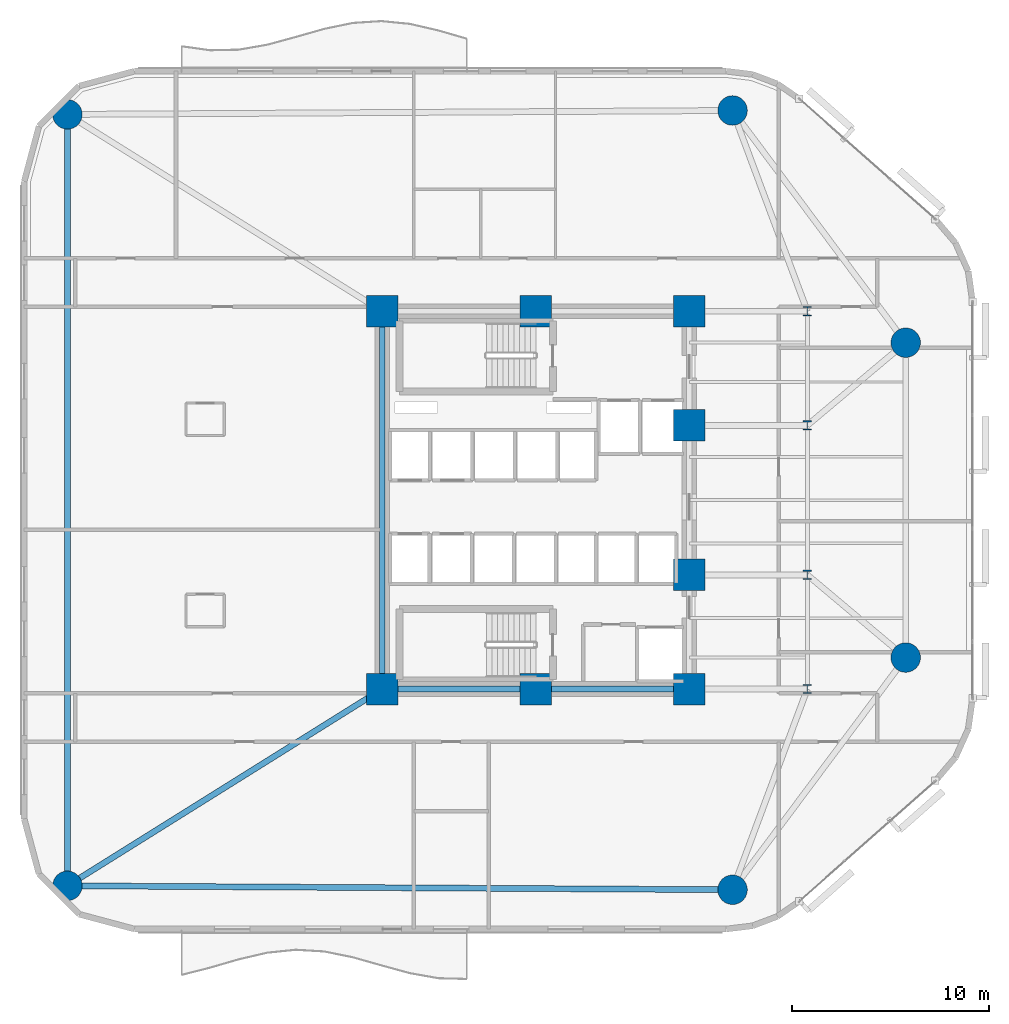
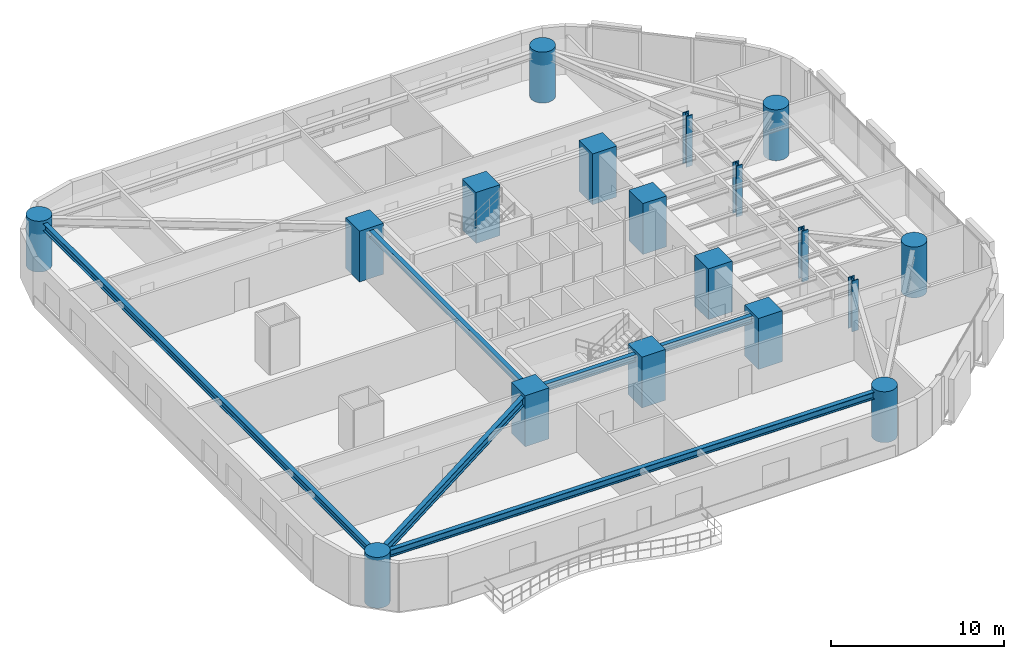
# One storey, part 1 of 16: 18 columns, 5 beams.
"""IFC4 building model written with IfcOpenShell, lengths in metres."""

import ifcopenshell
import ifcopenshell.guid

model = None  # the IFC model being written
_history = None  # IfcOwnerHistory: only IFC2X3 demands one
_inside = {}  # id of a spatial element -> (the spatial element, [elements in it])
_under = {}  # id of a project, library or spatial element -> (it, [spatial elements below it])
_declared = {}  # id of a project -> (the project, [libraries it declares])
_typed = {}  # id of a type object -> (the type object, [elements of that type])
_made_of = {}  # id of a material, layer set ... -> (it, [elements and type objects made of it])


def new_model(schema):
    """Start an empty IFC model of exactly this schema.

    Asked for "IFC4X3", IfcOpenShell would pick the latest addendum, in which some entities
    have other attributes; the version numbers below select the first issue.
    IFC2X3 requires an IfcOwnerHistory on every rooted entity: one is made here for all.
    """
    global model, _history
    if schema == "IFC4X3":
        model = ifcopenshell.file(schema_version=(4, 3, 0, 0))
    else:
        model = ifcopenshell.file(schema=schema)
    _inside.clear()
    _under.clear()
    _declared.clear()
    _typed.clear()
    _made_of.clear()
    _history = None
    if model.schema == "IFC2X3":
        org = make("IfcOrganization", Name="unknown")
        user = make(
            "IfcPersonAndOrganization",
            ThePerson=make("IfcPerson", FamilyName="unknown"),
            TheOrganization=org,
        )
        app = make(
            "IfcApplication",
            ApplicationDeveloper=org,
            Version="unknown",
            ApplicationFullName="unknown",
            ApplicationIdentifier="unknown",
        )
        _history = make(
            "IfcOwnerHistory",
            OwningUser=user,
            OwningApplication=app,
            ChangeAction="ADDED",
            CreationDate=0,
        )
    return model


def make(cls, **values):
    """One entity of the class cls with the attributes given. An attribute that is None is left unset."""
    return model.create_entity(
        cls, **{name: value for name, value in values.items() if value is not None}
    )


def rooted(cls, **values):
    """An entity with a GlobalId (a new one), such as an element, a storey or a relation."""
    return make(cls, GlobalId=ifcopenshell.guid.new(), OwnerHistory=_history, **values)


def si_unit(unit_type, name, prefix=None):
    """IfcSIUnit, for example si_unit("LENGTHUNIT", "METRE", prefix="MILLI")."""
    return make("IfcSIUnit", UnitType=unit_type, Prefix=prefix, Name=name)


def assignment(units):
    """IfcUnitAssignment: the units of a project."""
    return None if units is None else make("IfcUnitAssignment", Units=units)


def point(xyz):
    """IfcCartesianPoint."""
    return None if xyz is None else make("IfcCartesianPoint", Coordinates=xyz)


def direction(xyz):
    """IfcDirection."""
    return None if xyz is None else make("IfcDirection", DirectionRatios=xyz)


def frame(location, z_axis=None, x_axis=None):
    """IfcAxis2Placement3D, a coordinate frame: its origin and axes. An axis left out is left unset."""
    return make(
        "IfcAxis2Placement3D",
        Location=point(location),
        Axis=direction(z_axis),
        RefDirection=direction(x_axis),
    )


def frame_2d(location, x_axis=None):
    """IfcAxis2Placement2D, a coordinate frame in the plane: its origin and x axis."""
    return make(
        "IfcAxis2Placement2D", Location=point(location), RefDirection=direction(x_axis)
    )


def origin():
    """The frame at (0, 0, 0) with its axes left unset."""
    return frame((0.0, 0.0, 0.0))


def origin_2d():
    """The frame at (0, 0) in the plane with its x axis left unset."""
    return frame_2d((0.0, 0.0))


def place(relative_to, where):
    """IfcLocalPlacement: puts the frame where relative to a parent placement (None: the world)."""
    return make(
        "IfcLocalPlacement", PlacementRelTo=relative_to, RelativePlacement=where
    )


def context(
    kind, dimensions, precision=None, world=None, true_north=None, identifier=None
):
    """IfcGeometricRepresentationContext, for example the 3D "Model" context."""
    return make(
        "IfcGeometricRepresentationContext",
        ContextIdentifier=identifier,
        ContextType=kind,
        CoordinateSpaceDimension=dimensions,
        Precision=precision,
        WorldCoordinateSystem=world,
        TrueNorth=true_north,
    )


def subcontext(parent, identifier, kind, view, scale=None):
    """IfcGeometricRepresentationSubContext, for example "Body" below "Model"."""
    return make(
        "IfcGeometricRepresentationSubContext",
        ContextIdentifier=identifier,
        ContextType=kind,
        ParentContext=parent,
        TargetScale=scale,
        TargetView=view,
    )


def project(units=None, contexts=None):
    """IfcProject with its units and contexts."""
    return rooted(
        "IfcProject",
        Name="project",
        RepresentationContexts=contexts,
        UnitsInContext=assignment(units),
    )


def spatial(cls, under=None, at=None, **own):
    """A site, building, storey or space (cls), placed at a placement, below another one or the project."""
    s = rooted(cls, ObjectPlacement=at, **own)
    if under is not None:
        _under.setdefault(under.id(), (under, []))[1].append(s)
    return s


def profile(cls, at=None, kind="AREA", **sizes):
    """A parametric profile (cls). Its sizes go by their IFC names, for example OverallWidth=200.0."""
    return make(cls, ProfileType=kind, Position=at, **sizes)


def rectangle(**sizes):
    """IfcRectangleProfileDef."""
    return profile("IfcRectangleProfileDef", **sizes)


def circle(**sizes):
    """IfcCircleProfileDef."""
    return profile("IfcCircleProfileDef", **sizes)


def i_section(**sizes):
    """IfcIShapeProfileDef."""
    return profile("IfcIShapeProfileDef", **sizes)


def extrude(swept, where, along, depth):
    """IfcExtrudedAreaSolid: the profile swept, set in the frame where, extruded along a direction by depth."""
    return make(
        "IfcExtrudedAreaSolid",
        SweptArea=swept,
        Position=where,
        ExtrudedDirection=direction(along),
        Depth=depth,
    )


def shape(context_of_items, identifier, shape_type, items):
    """IfcShapeRepresentation: the items that make up one representation, for example the "Body"."""
    return make(
        "IfcShapeRepresentation",
        ContextOfItems=context_of_items,
        RepresentationIdentifier=identifier,
        RepresentationType=shape_type,
        Items=items,
    )


def material(Name=None, Category=None):
    """IfcMaterial."""
    return make("IfcMaterial", Name=Name, Category=Category)


def material_profile(
    of_material, cross_section, Name=None, Category=None, Priority=None
):
    """IfcMaterialProfile: a cross section and its material."""
    return make(
        "IfcMaterialProfile",
        Name=Name,
        Material=of_material,
        Profile=cross_section,
        Priority=Priority,
        Category=Category,
    )


def profile_set(profiles, Name=None, composite=None):
    """IfcMaterialProfileSet."""
    return make(
        "IfcMaterialProfileSet",
        Name=Name,
        MaterialProfiles=profiles,
        CompositeProfile=composite,
    )


def made_of(thing, what):
    """Note that an element or type object is made of a material, layer set ...; save() writes the relation."""
    if what is not None:
        _made_of.setdefault(what.id(), (what, []))[1].append(thing)
    return thing


def type_object(cls, material=None, **own):
    """A type object (cls), such as IfcWallType, which elements share."""
    return made_of(rooted(cls, **own), material)


def element(
    cls,
    number,
    at=None,
    inside=None,
    cuts=None,
    type_object=None,
    material=None,
    context=None,
    identifier="Body",
    shape_type=None,
    held_by="IfcProductDefinitionShape",
    body=None,
    shapes=None,
    **own,
):
    """One element of the class cls, such as IfcWall. Its Tag is "e" and its number.

    at: its placement. inside: the storey or other place that contains it. cuts: it is an
    opening in that element (IfcRelVoidsElement). A single representation is given by context,
    identifier, shape_type and body (its items); several are given by shapes. held_by: the class
    of the entity that holds the representations. save() writes the other relations.
    """
    e = rooted(cls, Tag="e%d" % number, ObjectPlacement=at, **own)
    if body is not None:
        shapes = [shape(context, identifier, shape_type, body)]
    if shapes is not None:
        e.Representation = make(held_by, Representations=shapes)
    if inside is not None:
        _inside.setdefault(inside.id(), (inside, []))[1].append(e)
    if cuts is not None:
        rooted(
            "IfcRelVoidsElement", RelatingBuildingElement=cuts, RelatedOpeningElement=e
        )
    if type_object is not None:
        _typed.setdefault(type_object.id(), (type_object, []))[1].append(e)
    return made_of(e, material)


def aggregate(whole, parts):
    """IfcRelAggregates: a whole, such as a stair, and the parts it consists of."""
    return rooted("IfcRelAggregates", RelatingObject=whole, RelatedObjects=parts)


def save(model, path):
    """Write the relations noted so far, then the file.

    IfcRelAggregates (storeys below a building ...), IfcRelContainedInSpatialStructure (elements
    in a storey), IfcRelDefinesByType, IfcRelAssociatesMaterial and IfcRelDeclares: one each for
    every whole, place, type object, material and project.
    """
    for whole, parts in _under.values():
        aggregate(whole, parts)
    for where, things in _inside.values():
        rooted(
            "IfcRelContainedInSpatialStructure",
            RelatedElements=things,
            RelatingStructure=where,
        )
    for kind, things in _typed.values():
        rooted("IfcRelDefinesByType", RelatedObjects=things, RelatingType=kind)
    for what, things in _made_of.values():
        rooted("IfcRelAssociatesMaterial", RelatedObjects=things, RelatingMaterial=what)
    for by, libraries in _declared.values():
        rooted("IfcRelDeclares", RelatingContext=by, RelatedDefinitions=libraries)
    model.write(path)


model = new_model("IFC4")

# Units and contexts
model_context = context("Model", 3, precision=1e-05, world=origin(), true_north=direction((0.0, 1.0)))
body_context = subcontext(model_context, "Body", "Model", "MODEL_VIEW")
ifc_project = project(units=[si_unit("LENGTHUNIT", "METRE"), si_unit("AREAUNIT", "SQUARE_METRE"), si_unit("VOLUMEUNIT", "CUBIC_METRE"), si_unit("PLANEANGLEUNIT", "RADIAN"), si_unit("MASSUNIT", "GRAM", prefix="KILO")], contexts=[model_context])

# Site, building, storey
site_placement = place(None, origin())
site = spatial("IfcSite", under=ifc_project, at=site_placement, CompositionType="ELEMENT")
building_placement = place(site_placement, origin())
building = spatial("IfcBuilding", under=site, at=building_placement, Name="An Khanh Terracotta Commons", CompositionType="ELEMENT")
storey_placement = place(building_placement, frame((0.0, 0.0, 43.199951171875)))
storey = spatial("IfcBuildingStorey", under=building, at=storey_placement, Name="L11", CompositionType="ELEMENT", Elevation=43.199951171875)

# Columns
ifc_material_1 = material(Name="Concrete C70/85", Category="concrete")
ifc_material_profile_1 = material_profile(ifc_material_1, circle(Radius=0.75, at=origin_2d()), Name="CFST1500")
ifc_profile_set_1 = profile_set([ifc_material_profile_1], Name="Concrete C70/85")
column_type_1 = type_object("IfcColumnType", Name="COL-CFST1500", PredefinedType="COLUMN", material=ifc_profile_set_1)
for number, where, z_axis, x_axis, name in (
    (1, (5.60009765625, 4.39990234375, 0.0), (0.0, 0.0, 1.0), (1.0, 0.0, 0.0), "L11 Perimeter CFST Mega-Column MC-01"),
    (2, (39.39990234375, 4.199951171875, 0.0), (0.0, 0.0, 1.0), (1.0, 0.0, 0.0), "L11 Perimeter CFST Mega-Column MC-02"),
    (3, (48.199951171875, 16.0, 0.0), (0.0, 0.0, 1.0), (1.0, 0.0, 0.0), "L11 Perimeter CFST Mega-Column MC-03"),
    (4, (48.199951171875, 32.0, 0.0), (0.0, 0.0, 1.0), (1.0, 0.0, 0.0), "L11 Perimeter CFST Mega-Column MC-04"),
    (5, (39.39990234375, 43.800048828125, 0.0), (0.0, 0.0, 1.0), (1.0, 0.0, 0.0), "L11 Perimeter CFST Mega-Column MC-05"),
    (6, (5.60009765625, 43.60009765625, 0.0), (0.0, 0.0, 1.0), (1.0, 0.0, 0.0), "L11 Perimeter CFST Mega-Column MC-06"),
):
    element("IfcColumn", number, at=place(storey_placement, frame(where, z_axis=z_axis, x_axis=x_axis)), inside=storey, type_object=column_type_1, Name=name, PredefinedType="COLUMN", context=body_context, shape_type="SweptSolid", body=[
        extrude(circle(Radius=0.75, at=origin_2d()), origin(), (0.0, 0.0, 1.0), 3.60009765625),
    ])
ifc_material_2 = material(Name="Steel S460ML", Category="steel")
ifc_material_profile_2 = material_profile(ifc_material_2, i_section(OverallWidth=0.4169921875, OverallDepth=0.47705078125, WebThickness=0.035888671875, FlangeThickness=0.057373046875, FilletRadius=0.014892578125, at=origin_2d()), Name="HD400x463")
ifc_profile_set_2 = profile_set([ifc_material_profile_2], Name="Steel S460ML")
column_type_2 = type_object("IfcColumnType", Name="COL-HD400x463", PredefinedType="COLUMN", material=ifc_profile_set_2)
for number, where, z_axis, x_axis, name in (
    (7, (43.199951171875, 14.39990234375, 0.0), (0.0, 0.0, 1.0), (1.0, 0.0, 0.0), "L11 Interior Frame Column TC-01"),
    (8, (43.199951171875, 20.199951171875, 0.0), (0.0, 0.0, 1.0), (1.0, 0.0, 0.0), "L11 Interior Frame Column TC-02"),
    (9, (43.199951171875, 27.800048828125, 0.0), (0.0, 0.0, 1.0), (1.0, 0.0, 0.0), "L11 Interior Frame Column TC-03"),
    (10, (43.199951171875, 33.60009765625, 0.0), (0.0, 0.0, 1.0), (1.0, 0.0, 0.0), "L11 Interior Frame Column TC-04"),
):
    element("IfcColumn", number, at=place(storey_placement, frame(where, z_axis=z_axis, x_axis=x_axis)), inside=storey, type_object=column_type_2, Name=name, PredefinedType="COLUMN", context=body_context, shape_type="SweptSolid", body=[
        extrude(i_section(OverallWidth=0.4169921875, OverallDepth=0.47705078125, WebThickness=0.035888671875, FlangeThickness=0.057373046875, FilletRadius=0.014892578125, at=origin_2d()), origin(), (0.0, 0.0, 1.0), 3.60009765625),
    ])
ifc_material_profile_3 = material_profile(ifc_material_1, rectangle(XDim=1.60009765625, YDim=1.60009765625, at=origin_2d()), Name="RC1600x1600")
ifc_profile_set_3 = profile_set([ifc_material_profile_3], Name="Concrete C70/85")
column_type_3 = type_object("IfcColumnType", Name="COL-RC1600x1600", PredefinedType="COLUMN", material=ifc_profile_set_3)
for number, where, z_axis, x_axis, name in (
    (11, (21.60009765625, 14.39990234375, 0.0), (0.0, 0.0, 1.0), (1.0, 0.0, 0.0), "L11 Core Boundary Column CC-01"),
    (12, (29.39990234375, 14.39990234375, 0.0), (0.0, 0.0, 1.0), (1.0, 0.0, 0.0), "L11 Core Boundary Column CC-02"),
    (13, (37.199951171875, 14.39990234375, 0.0), (0.0, 0.0, 1.0), (1.0, 0.0, 0.0), "L11 Core Boundary Column CC-03"),
    (14, (37.199951171875, 20.199951171875, 0.0), (0.0, 0.0, 1.0), (1.0, 0.0, 0.0), "L11 Core Boundary Column CC-04"),
    (15, (37.199951171875, 27.800048828125, 0.0), (0.0, 0.0, 1.0), (1.0, 0.0, 0.0), "L11 Core Boundary Column CC-05"),
    (16, (37.199951171875, 33.60009765625, 0.0), (0.0, 0.0, 1.0), (1.0, 0.0, 0.0), "L11 Core Boundary Column CC-06"),
    (17, (29.39990234375, 33.60009765625, 0.0), (0.0, 0.0, 1.0), (1.0, 0.0, 0.0), "L11 Core Boundary Column CC-07"),
    (18, (21.60009765625, 33.60009765625, 0.0), (0.0, 0.0, 1.0), (1.0, 0.0, 0.0), "L11 Core Boundary Column CC-08"),
):
    element("IfcColumn", number, at=place(storey_placement, frame(where, z_axis=z_axis, x_axis=x_axis)), inside=storey, type_object=column_type_3, Name=name, PredefinedType="COLUMN", context=body_context, shape_type="SweptSolid", body=[
        extrude(rectangle(XDim=1.60009765625, YDim=1.60009765625, at=origin_2d()), origin(), (0.0, 0.0, 1.0), 3.60009765625),
    ])

# Beams
ifc_material_3 = material(Name="Steel S355J2", Category="steel")
ifc_material_profile_4 = material_profile(ifc_material_3, i_section(OverallWidth=0.300048828125, OverallDepth=0.449951171875, WebThickness=0.013916015625, FlangeThickness=0.02587890625, FilletRadius=0.027099609375, at=origin_2d()), Name="HEB450")
ifc_profile_set_4 = profile_set([ifc_material_profile_4], Name="Steel S355J2")
beam_type_1 = type_object("IfcBeamType", Name="BM-HEB450", PredefinedType="BEAM", material=ifc_profile_set_4)
beam_1_placement = place(storey_placement, frame((21.60009765625, 14.39990234375, 3.175048828125), z_axis=(0.0, 1.0, 0.0), x_axis=(-1.0, 0.0, 0.0)))
element("IfcBeam", 19, at=beam_1_placement, inside=storey, type_object=beam_type_1, Name="L11 Core West Coupling Girder", PredefinedType="BEAM", context=body_context, shape_type="SweptSolid", body=[
    extrude(i_section(OverallWidth=0.300048828125, OverallDepth=0.449951171875, WebThickness=0.013916015625, FlangeThickness=0.02587890625, FilletRadius=0.027099609375, at=origin_2d()), origin(), (0.0, 0.0, 1.0), 19.2001953125),
])
ifc_material_profile_5 = material_profile(ifc_material_3, i_section(OverallWidth=0.300048828125, OverallDepth=0.5, WebThickness=0.014404296875, FlangeThickness=0.028076171875, FilletRadius=0.027099609375, at=origin_2d()), Name="HEB500")
ifc_profile_set_5 = profile_set([ifc_material_profile_5], Name="Steel S355J2")
beam_type_2 = type_object("IfcBeamType", Name="BM-HEB500", PredefinedType="BEAM", material=ifc_profile_set_5)
beam_2_placement = place(storey_placement, frame((21.60009765625, 14.39990234375, 3.150146484375), z_axis=(1.0, 0.0, 0.0), x_axis=(0.0, 1.0, 0.0)))
element("IfcBeam", 20, at=beam_2_placement, inside=storey, type_object=beam_type_2, Name="L11 Core South Coupling Girder", PredefinedType="BEAM", context=body_context, shape_type="SweptSolid", body=[
    extrude(i_section(OverallWidth=0.300048828125, OverallDepth=0.5, WebThickness=0.014404296875, FlangeThickness=0.028076171875, FilletRadius=0.027099609375, at=origin_2d()), origin(), (0.0, 0.0, 1.0), 15.599853515625),
])
beam_3_placement = place(storey_placement, frame((5.60009765625, 4.39990234375, 3.150146484375), z_axis=(0.999982502414, -0.005915645817, 0.0), x_axis=(0.005915645817, 0.999982502414, 0.0)))
element("IfcBeam", 21, at=beam_3_placement, inside=storey, type_object=beam_type_2, Name="L11 Perimeter Ring Spandrel 1", PredefinedType="BEAM", context=body_context, shape_type="SweptSolid", body=[
    extrude(i_section(OverallWidth=0.300048828125, OverallDepth=0.5, WebThickness=0.014404296875, FlangeThickness=0.028076171875, FilletRadius=0.027099609375, at=origin_2d()), origin(), (0.0, 0.0, 1.0), 33.80029296875),
])
beam_4_placement = place(storey_placement, frame((5.60009765625, 43.60009765625, 3.150146484375), z_axis=(0.0, -1.0, 0.0), x_axis=(1.0, 0.0, 0.0)))
element("IfcBeam", 22, at=beam_4_placement, inside=storey, type_object=beam_type_2, Name="L11 Perimeter Ring Spandrel 6", PredefinedType="BEAM", context=body_context, shape_type="SweptSolid", body=[
    extrude(i_section(OverallWidth=0.300048828125, OverallDepth=0.5, WebThickness=0.014404296875, FlangeThickness=0.028076171875, FilletRadius=0.027099609375, at=origin_2d()), origin(), (0.0, 0.0, 1.0), 39.2001953125),
])
ifc_material_profile_6 = material_profile(ifc_material_3, i_section(OverallWidth=0.300048828125, OverallDepth=0.60009765625, WebThickness=0.015380859375, FlangeThickness=0.030029296875, FilletRadius=0.027099609375, at=origin_2d()), Name="HEB600")
ifc_profile_set_6 = profile_set([ifc_material_profile_6], Name="Steel S355J2")
beam_type_3 = type_object("IfcBeamType", Name="BM-HEB600", PredefinedType="BEAM", material=ifc_profile_set_6)
beam_5_placement = place(storey_placement, frame((5.60009765625, 4.39990234375, 3.10009765625), z_axis=(0.847998304005, 0.529998940003, 0.0), x_axis=(-0.529998940003, 0.847998304005, 0.0)))
element("IfcBeam", 23, at=beam_5_placement, inside=storey, type_object=beam_type_3, Name="L11 Mega-Column Tie Girder 1", PredefinedType="BEAM", context=body_context, shape_type="SweptSolid", body=[
    extrude(i_section(OverallWidth=0.300048828125, OverallDepth=0.60009765625, WebThickness=0.015380859375, FlangeThickness=0.030029296875, FilletRadius=0.027099609375, at=origin_2d()), origin(), (0.0, 0.0, 1.0), 18.867919921875),
])

save(model, "model.ifc")
